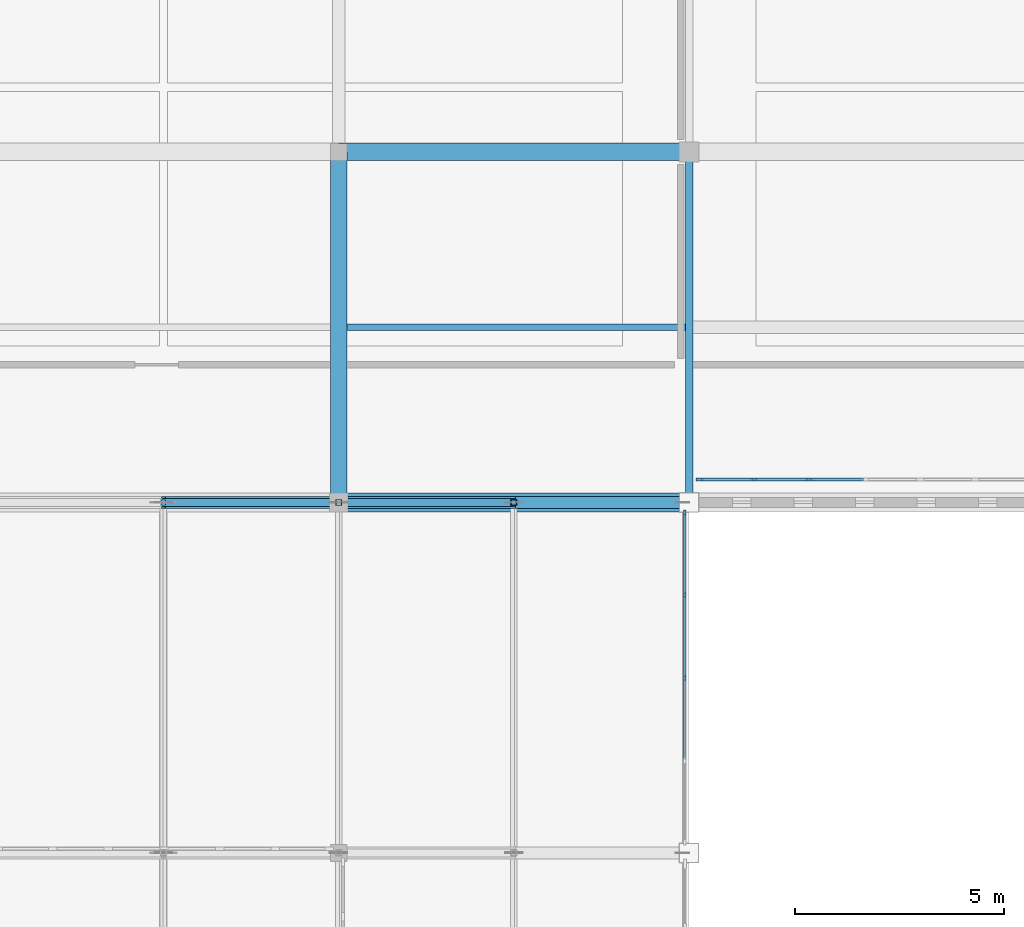
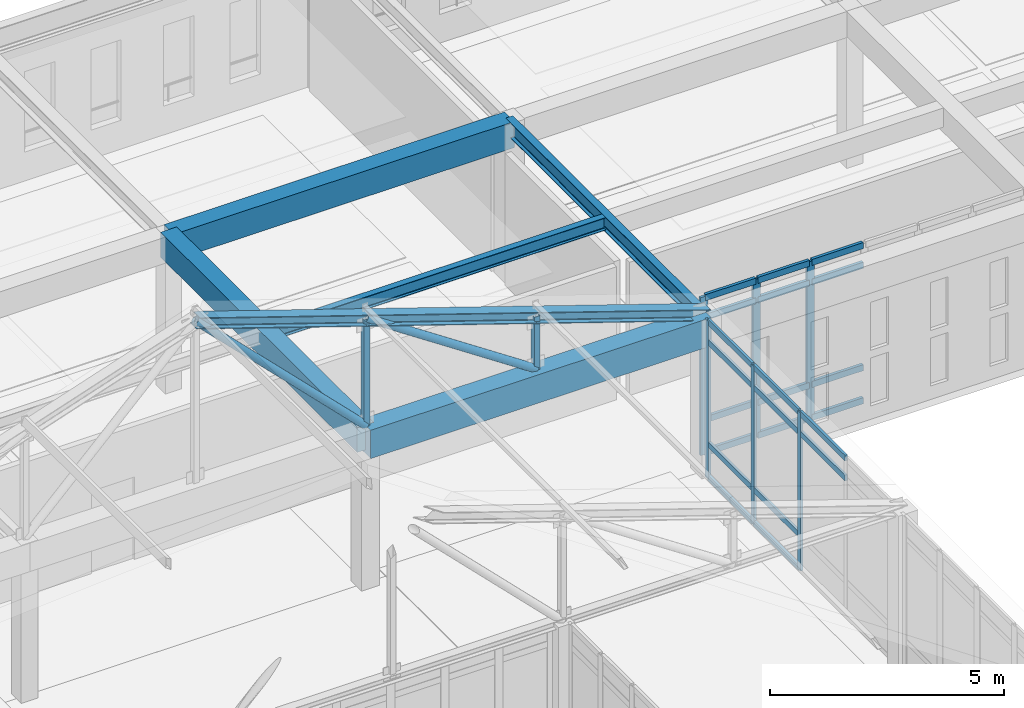
# One storey, part 90 of 192: 35 members, 5 beams, 2 elements without a shape of their own.
"""IFC4 building model written with IfcOpenShell, lengths in metres."""

from ifc_helpers import new_model, si_unit, direction, frame, origin, origin_2d, place, context, subcontext, project, spatial, rectangle, hollow_rectangle, hollow_circle, i_section, extrude, material, layer, layer_set, material_profile, profile_set, type_object, element, aggregate, save


model = new_model("IFC4")

# Units and contexts
model_context = context("Model", 3, precision=1e-05, world=origin(), true_north=direction((0.0, 1.0)))
body_context = subcontext(model_context, "Body", "Model", "MODEL_VIEW")
ifc_project = project(units=[si_unit("LENGTHUNIT", "METRE"), si_unit("AREAUNIT", "SQUARE_METRE"), si_unit("VOLUMEUNIT", "CUBIC_METRE"), si_unit("PLANEANGLEUNIT", "RADIAN"), si_unit("MASSUNIT", "GRAM", prefix="KILO")], contexts=[model_context])

# Site, building, storey
site_placement = place(None, origin())
site = spatial("IfcSite", under=ifc_project, at=site_placement, CompositionType="ELEMENT")
building_placement = place(site_placement, origin())
building = spatial("IfcBuilding", under=site, at=building_placement, Name="Kveldsbrygga Polytechnic", CompositionType="ELEMENT")
storey_placement = place(building_placement, frame((0.0, 0.0, 5.43994140625)))
storey = spatial("IfcBuildingStorey", under=building, at=storey_placement, Name="L01", CompositionType="ELEMENT", Elevation=5.43994140625)

# Beams
ifc_material_1 = material(Name="Concrete C35/45", Category="concrete")
ifc_material_profile_1 = material_profile(ifc_material_1, rectangle(XDim=0.39990234375, YDim=0.64990234375, at=origin_2d()), Name="RC 400x650")
ifc_profile_set_1 = profile_set([ifc_material_profile_1], Name="Concrete C35/45")
beam_type_1 = type_object("IfcBeamType", Name="BM-RC-400x650", PredefinedType="BEAM", material=ifc_profile_set_1)
beam_1_placement = place(storey_placement, frame((67.199951171875, 84.0, 3.795166015625), z_axis=(0.0, 1.0, 0.0), x_axis=(-1.0, 0.0, 0.0)))
element("IfcBeam", 1, at=beam_1_placement, inside=storey, type_object=beam_type_1, Name="Primary Beam BMY-L01-08-10to11", PredefinedType="BEAM", context=body_context, shape_type="SweptSolid", body=[
    extrude(rectangle(XDim=0.39990234375, YDim=0.64990234375, at=origin_2d()), origin(), (0.0, 0.0, 1.0), 8.39990234375),
])
ifc_material_profile_2 = material_profile(ifc_material_1, rectangle(XDim=0.419921875, YDim=0.679931640625, at=origin_2d()), Name="RC 420x680")
ifc_profile_set_2 = profile_set([ifc_material_profile_2], Name="Concrete C35/45")
beam_type_2 = type_object("IfcBeamType", Name="BM-RC-420x680", PredefinedType="BEAM", material=ifc_profile_set_2)
beam_2_placement = place(storey_placement, frame((67.199951171875, 92.39990234375, 3.780029296875), z_axis=(1.0, 0.0, 0.0), x_axis=(0.0, 1.0, 0.0)))
element("IfcBeam", 2, at=beam_2_placement, inside=storey, type_object=beam_type_2, Name="Primary Beam BMX-L01-08to09-11", PredefinedType="BEAM", context=body_context, shape_type="SweptSolid", body=[
    extrude(rectangle(XDim=0.419921875, YDim=0.679931640625, at=origin_2d()), origin(), (0.0, 0.0, 1.0), 8.400146484375),
])
ifc_material_profile_3 = material_profile(ifc_material_1, rectangle(XDim=0.4599609375, YDim=0.739990234375, at=origin_2d()), Name="RC 460x740")
ifc_profile_set_3 = profile_set([ifc_material_profile_3], Name="Concrete C35/45")
beam_type_3 = type_object("IfcBeamType", Name="BM-RC-460x740", PredefinedType="BEAM", material=ifc_profile_set_3)
beam_3_placement = place(storey_placement, frame((67.199951171875, 84.0, 3.75), z_axis=(1.0, 0.0, 0.0), x_axis=(0.0, 1.0, 0.0)))
element("IfcBeam", 3, at=beam_3_placement, inside=storey, type_object=beam_type_3, Name="Primary Beam BMX-L01-08to09-10", PredefinedType="BEAM", context=body_context, shape_type="SweptSolid", body=[
    extrude(rectangle(XDim=0.4599609375, YDim=0.739990234375, at=origin_2d()), origin(), (0.0, 0.0, 1.0), 8.400146484375),
])
ifc_material_2 = material(Name="Steel S355", Category="steel")
ifc_material_profile_4 = material_profile(ifc_material_2, i_section(OverallWidth=0.159912109375, OverallDepth=0.330078125, WebThickness=0.007568359375, FlangeThickness=0.011474609375, FilletRadius=0.01806640625, at=origin_2d()), Name="IPE 330")
ifc_profile_set_4 = profile_set([ifc_material_profile_4], Name="Steel S355")
beam_type_4 = type_object("IfcBeamType", Name="BM-STL-IPE330", PredefinedType="JOIST", material=ifc_profile_set_4)
beam_4_placement = place(storey_placement, frame((67.39990234375, 88.199951171875, 3.955078125), z_axis=(1.0, 0.0, 0.0), x_axis=(0.0, 1.0, 0.0)))
element("IfcBeam", 4, at=beam_4_placement, inside=storey, type_object=beam_type_4, Name="Secondary Joist JST-L01-08-10", PredefinedType="JOIST", context=body_context, shape_type="SweptSolid", body=[
    extrude(i_section(OverallWidth=0.159912109375, OverallDepth=0.330078125, WebThickness=0.007568359375, FlangeThickness=0.011474609375, FilletRadius=0.01806640625, at=origin_2d()), origin(), (0.0, 0.0, 1.0), 8.110107421875),
])
ifc_material_profile_5 = material_profile(ifc_material_2, i_section(OverallWidth=0.179931640625, OverallDepth=0.39990234375, WebThickness=0.008544921875, FlangeThickness=0.013427734375, FilletRadius=0.02099609375, at=origin_2d()), Name="IPE 400")
ifc_profile_set_5 = profile_set([ifc_material_profile_5], Name="Steel S355")
beam_type_5 = type_object("IfcBeamType", Name="BM-STL-IPE400", PredefinedType="BEAM", material=ifc_profile_set_5)
beam_5_placement = place(storey_placement, frame((75.60009765625, 84.0, 3.920166015625), z_axis=(0.0, 1.0, 0.0), x_axis=(-1.0, 0.0, 0.0)))
element("IfcBeam", 5, at=beam_5_placement, inside=storey, type_object=beam_type_5, Name="Primary Beam BMY-L01-09-10to11", PredefinedType="BEAM", context=body_context, shape_type="SweptSolid", body=[
    extrude(i_section(OverallWidth=0.179931640625, OverallDepth=0.39990234375, WebThickness=0.008544921875, FlangeThickness=0.013427734375, FilletRadius=0.02099609375, at=origin_2d()), origin(), (0.0, 0.0, 1.0), 8.39990234375),
])

# Curtain wall, members
ifc_material_3 = material(Name="Anodised aluminium AW-6060", Category="aluminium")
ifc_layer_1 = layer(ifc_material_3, 0.199951171875)
ifc_layer_set_1 = layer_set([ifc_layer_1], Name="Anodised aluminium AW-6060")
curtain_wall_type_1 = type_object("IfcCurtainWallType", Name="CW-LANC-E", PredefinedType="USERDEFINED", material=ifc_layer_set_1)
curtain_wall_1_placement = place(storey_placement, origin())
curtain_wall_1 = element("IfcCurtainWall", 6, at=curtain_wall_1_placement, inside=storey, type_object=curtain_wall_type_1, Name="Curtain Wall CW-L01-Y-09-09", ObjectType="UNITISED CURTAIN WALL", PredefinedType="USERDEFINED")
ifc_material_profile_6 = material_profile(ifc_material_3, rectangle(XDim=0.06005859375, YDim=0.139892578125, at=origin_2d()), Name="ALU 60x140")
ifc_profile_set_6 = profile_set([ifc_material_profile_6], Name="Anodised aluminium AW-6060")
member_type_1 = type_object("IfcMemberType", Name="CW-MUL-140", PredefinedType="MULLION", material=ifc_profile_set_6)
member_1_placement = place(storey_placement, frame((75.5, 79.800048828125, 0.0), z_axis=(0.0, 0.0, 1.0), x_axis=(-1.0, 0.0, 0.0)))
member_1 = element("IfcMember", 7, at=member_1_placement, type_object=member_type_1, Name="CW-05 mullion 3", PredefinedType="MULLION", context=body_context, shape_type="SweptSolid", body=[
    extrude(rectangle(XDim=0.06005859375, YDim=0.139892578125, at=origin_2d()), origin(), (0.0, 0.0, 1.0), 4.1201171875),
])
member_2_placement = place(storey_placement, frame((75.5, 81.78759765625, 0.0), z_axis=(0.0, 0.0, 1.0), x_axis=(-1.0, 0.0, 0.0)))
member_2 = element("IfcMember", 8, at=member_2_placement, type_object=member_type_1, Name="CW-05 mullion 4", PredefinedType="MULLION", context=body_context, shape_type="SweptSolid", body=[
    extrude(rectangle(XDim=0.06005859375, YDim=0.139892578125, at=origin_2d()), origin(), (0.0, 0.0, 1.0), 4.1201171875),
])
member_3_placement = place(storey_placement, frame((75.5, 83.7451171875, 0.0), z_axis=(0.0, 0.0, 1.0), x_axis=(-1.0, 0.0, 0.0)))
member_3 = element("IfcMember", 9, at=member_3_placement, type_object=member_type_1, Name="CW-05 mullion 5", PredefinedType="MULLION", context=body_context, shape_type="SweptSolid", body=[
    extrude(rectangle(XDim=0.06005859375, YDim=0.139892578125, at=origin_2d()), origin(), (0.0, 0.0, 1.0), 4.1201171875),
])

ifc_layer_2 = layer(ifc_material_3, 0.169921875)
ifc_layer_set_2 = layer_set([ifc_layer_2], Name="Anodised aluminium AW-6060")
curtain_wall_type_2 = type_object("IfcCurtainWallType", Name="CW-FOYR-F", PredefinedType="USERDEFINED", material=ifc_layer_set_2)
curtain_wall_2_placement = place(storey_placement, origin())
curtain_wall_2 = element("IfcCurtainWall", 10, at=curtain_wall_2_placement, inside=storey, type_object=curtain_wall_type_2, Name="Curtain Wall CW-L01-X-09-10", ObjectType="STICK CURTAIN WALL", PredefinedType="USERDEFINED")
ifc_material_profile_7 = material_profile(ifc_material_3, rectangle(XDim=0.06005859375, YDim=0.179931640625, at=origin_2d()), Name="ALU 60x180")
ifc_profile_set_7 = profile_set([ifc_material_profile_7], Name="Anodised aluminium AW-6060")
member_type_2 = type_object("IfcMemberType", Name="CW-MUL-180", PredefinedType="MULLION", material=ifc_profile_set_7)
member_4_placement = place(storey_placement, frame((75.85498046875, 84.550048828125, 0.0), z_axis=(0.0, 0.0, 1.0), x_axis=(0.0, 1.0, 0.0)))
member_4 = element("IfcMember", 11, at=member_4_placement, type_object=member_type_2, Name="CW-06 mullion 1", PredefinedType="MULLION", context=body_context, shape_type="SweptSolid", body=[
    extrude(rectangle(XDim=0.06005859375, YDim=0.179931640625, at=origin_2d()), origin(), (0.0, 0.0, 1.0), 4.1201171875),
])
member_5_placement = place(storey_placement, frame((77.152587890625, 84.550048828125, 0.0), z_axis=(0.0, 0.0, 1.0), x_axis=(0.0, 1.0, 0.0)))
member_5 = element("IfcMember", 12, at=member_5_placement, type_object=member_type_2, Name="CW-06 mullion 2", PredefinedType="MULLION", context=body_context, shape_type="SweptSolid", body=[
    extrude(rectangle(XDim=0.06005859375, YDim=0.179931640625, at=origin_2d()), origin(), (0.0, 0.0, 1.0), 4.1201171875),
])
member_6_placement = place(storey_placement, frame((78.47998046875, 84.550048828125, 0.0), z_axis=(0.0, 0.0, 1.0), x_axis=(0.0, 1.0, 0.0)))
member_6 = element("IfcMember", 13, at=member_6_placement, type_object=member_type_2, Name="CW-06 mullion 3", PredefinedType="MULLION", context=body_context, shape_type="SweptSolid", body=[
    extrude(rectangle(XDim=0.06005859375, YDim=0.179931640625, at=origin_2d()), origin(), (0.0, 0.0, 1.0), 4.1201171875),
])

# Member
ifc_material_profile_8 = material_profile(ifc_material_3, rectangle(XDim=0.06005859375, YDim=0.14990234375, at=origin_2d()), Name="ALU 60x150")
ifc_profile_set_8 = profile_set([ifc_material_profile_8], Name="Anodised aluminium AW-6060")
member_type_3 = type_object("IfcMemberType", Name="CW-TRN-150", PredefinedType="USERDEFINED", material=ifc_profile_set_8)
member_7_placement = place(storey_placement, frame((75.5, 77.842529296875, 3.570068359375), z_axis=(0.0, 1.0, 0.0), x_axis=(-1.0, 0.0, 0.0)))
member_7 = element("IfcMember", 14, at=member_7_placement, type_object=member_type_3, Name="CW-05 transom 2.3", ObjectType="TRANSOM", PredefinedType="USERDEFINED", context=body_context, shape_type="SweptSolid", body=[
    extrude(rectangle(XDim=0.06005859375, YDim=0.14990234375, at=origin_2d()), origin(), (0.0, 0.0, 1.0), 1.927490234375),
])

member_8_placement = place(storey_placement, frame((75.5, 77.842529296875, 4.090087890625), z_axis=(0.0, 1.0, 0.0), x_axis=(-1.0, 0.0, 0.0)))
member_8 = element("IfcMember", 15, at=member_8_placement, type_object=member_type_3, Name="CW-05 transom 2.4", ObjectType="TRANSOM", PredefinedType="USERDEFINED", context=body_context, shape_type="SweptSolid", body=[
    extrude(rectangle(XDim=0.06005859375, YDim=0.14990234375, at=origin_2d()), origin(), (0.0, 0.0, 1.0), 1.927490234375),
])

member_9_placement = place(storey_placement, frame((75.5, 79.830078125, 0.030029296875), z_axis=(0.0, 1.0, 0.0), x_axis=(-1.0, 0.0, 0.0)))
member_9 = element("IfcMember", 16, at=member_9_placement, type_object=member_type_3, Name="CW-05 transom 3.1", ObjectType="TRANSOM", PredefinedType="USERDEFINED", context=body_context, shape_type="SweptSolid", body=[
    extrude(rectangle(XDim=0.06005859375, YDim=0.14990234375, at=origin_2d()), origin(), (0.0, 0.0, 1.0), 1.927490234375),
])

member_10_placement = place(storey_placement, frame((75.5, 79.830078125, 0.900146484375), z_axis=(0.0, 1.0, 0.0), x_axis=(-1.0, 0.0, 0.0)))
member_10 = element("IfcMember", 17, at=member_10_placement, type_object=member_type_3, Name="CW-05 transom 3.2", ObjectType="TRANSOM", PredefinedType="USERDEFINED", context=body_context, shape_type="SweptSolid", body=[
    extrude(rectangle(XDim=0.06005859375, YDim=0.14990234375, at=origin_2d()), origin(), (0.0, 0.0, 1.0), 1.927490234375),
])

member_11_placement = place(storey_placement, frame((75.5, 79.830078125, 3.570068359375), z_axis=(0.0, 1.0, 0.0), x_axis=(-1.0, 0.0, 0.0)))
member_11 = element("IfcMember", 18, at=member_11_placement, type_object=member_type_3, Name="CW-05 transom 3.3", ObjectType="TRANSOM", PredefinedType="USERDEFINED", context=body_context, shape_type="SweptSolid", body=[
    extrude(rectangle(XDim=0.06005859375, YDim=0.14990234375, at=origin_2d()), origin(), (0.0, 0.0, 1.0), 1.927490234375),
])

member_12_placement = place(storey_placement, frame((75.5, 79.830078125, 4.090087890625), z_axis=(0.0, 1.0, 0.0), x_axis=(-1.0, 0.0, 0.0)))
member_12 = element("IfcMember", 19, at=member_12_placement, type_object=member_type_3, Name="CW-05 transom 3.4", ObjectType="TRANSOM", PredefinedType="USERDEFINED", context=body_context, shape_type="SweptSolid", body=[
    extrude(rectangle(XDim=0.06005859375, YDim=0.14990234375, at=origin_2d()), origin(), (0.0, 0.0, 1.0), 1.927490234375),
])

member_13_placement = place(storey_placement, frame((75.5, 81.8173828125, 0.030029296875), z_axis=(0.0, 1.0, 0.0), x_axis=(-1.0, 0.0, 0.0)))
member_13 = element("IfcMember", 20, at=member_13_placement, type_object=member_type_3, Name="CW-05 transom 4.1", ObjectType="TRANSOM", PredefinedType="USERDEFINED", context=body_context, shape_type="SweptSolid", body=[
    extrude(rectangle(XDim=0.06005859375, YDim=0.14990234375, at=origin_2d()), origin(), (0.0, 0.0, 1.0), 1.897705078125),
])

member_14_placement = place(storey_placement, frame((75.5, 81.8173828125, 0.900146484375), z_axis=(0.0, 1.0, 0.0), x_axis=(-1.0, 0.0, 0.0)))
member_14 = element("IfcMember", 21, at=member_14_placement, type_object=member_type_3, Name="CW-05 transom 4.2", ObjectType="TRANSOM", PredefinedType="USERDEFINED", context=body_context, shape_type="SweptSolid", body=[
    extrude(rectangle(XDim=0.06005859375, YDim=0.14990234375, at=origin_2d()), origin(), (0.0, 0.0, 1.0), 1.897705078125),
])

member_15_placement = place(storey_placement, frame((75.5, 81.8173828125, 3.570068359375), z_axis=(0.0, 1.0, 0.0), x_axis=(-1.0, 0.0, 0.0)))
member_15 = element("IfcMember", 22, at=member_15_placement, type_object=member_type_3, Name="CW-05 transom 4.3", ObjectType="TRANSOM", PredefinedType="USERDEFINED", context=body_context, shape_type="SweptSolid", body=[
    extrude(rectangle(XDim=0.06005859375, YDim=0.14990234375, at=origin_2d()), origin(), (0.0, 0.0, 1.0), 1.897705078125),
])

member_16_placement = place(storey_placement, frame((75.5, 81.8173828125, 4.090087890625), z_axis=(0.0, 1.0, 0.0), x_axis=(-1.0, 0.0, 0.0)))
member_16 = element("IfcMember", 23, at=member_16_placement, type_object=member_type_3, Name="CW-05 transom 4.4", ObjectType="TRANSOM", PredefinedType="USERDEFINED", context=body_context, shape_type="SweptSolid", body=[
    extrude(rectangle(XDim=0.06005859375, YDim=0.14990234375, at=origin_2d()), origin(), (0.0, 0.0, 1.0), 1.897705078125),
])

aggregate(curtain_wall_1, [member_1, member_2, member_3, member_7, member_8, member_9, member_10, member_11, member_12, member_13, member_14, member_15, member_16])

ifc_material_profile_9 = material_profile(ifc_material_3, rectangle(XDim=0.074951171875, YDim=0.159912109375, at=origin_2d()), Name="ALU 75x160")
ifc_profile_set_9 = profile_set([ifc_material_profile_9], Name="Anodised aluminium AW-6060")
member_type_4 = type_object("IfcMemberType", Name="CW-TRN-160", PredefinedType="USERDEFINED", material=ifc_profile_set_9)
member_17_placement = place(storey_placement, frame((75.885009765625, 84.550048828125, 0.03759765625), z_axis=(1.0, 0.0, 0.0), x_axis=(0.0, 1.0, 0.0)))
member_17 = element("IfcMember", 24, at=member_17_placement, type_object=member_type_4, Name="CW-06 transom 1.1", ObjectType="TRANSOM", PredefinedType="USERDEFINED", context=body_context, shape_type="SweptSolid", body=[
    extrude(rectangle(XDim=0.074951171875, YDim=0.159912109375, at=origin_2d()), origin(), (0.0, 0.0, 1.0), 1.237548828125),
])

member_18_placement = place(storey_placement, frame((75.885009765625, 84.550048828125, 0.900146484375), z_axis=(1.0, 0.0, 0.0), x_axis=(0.0, 1.0, 0.0)))
member_18 = element("IfcMember", 25, at=member_18_placement, type_object=member_type_4, Name="CW-06 transom 1.2", ObjectType="TRANSOM", PredefinedType="USERDEFINED", context=body_context, shape_type="SweptSolid", body=[
    extrude(rectangle(XDim=0.074951171875, YDim=0.159912109375, at=origin_2d()), origin(), (0.0, 0.0, 1.0), 1.237548828125),
])

member_19_placement = place(storey_placement, frame((75.885009765625, 84.550048828125, 3.570068359375), z_axis=(1.0, 0.0, 0.0), x_axis=(0.0, 1.0, 0.0)))
member_19 = element("IfcMember", 26, at=member_19_placement, type_object=member_type_4, Name="CW-06 transom 1.3", ObjectType="TRANSOM", PredefinedType="USERDEFINED", context=body_context, shape_type="SweptSolid", body=[
    extrude(rectangle(XDim=0.074951171875, YDim=0.159912109375, at=origin_2d()), origin(), (0.0, 0.0, 1.0), 1.237548828125),
])

member_20_placement = place(storey_placement, frame((75.885009765625, 84.550048828125, 4.08251953125), z_axis=(1.0, 0.0, 0.0), x_axis=(0.0, 1.0, 0.0)))
member_20 = element("IfcMember", 27, at=member_20_placement, type_object=member_type_4, Name="CW-06 transom 1.4", ObjectType="TRANSOM", PredefinedType="USERDEFINED", context=body_context, shape_type="SweptSolid", body=[
    extrude(rectangle(XDim=0.074951171875, YDim=0.159912109375, at=origin_2d()), origin(), (0.0, 0.0, 1.0), 1.237548828125),
])

member_21_placement = place(storey_placement, frame((77.1826171875, 84.550048828125, 0.03759765625), z_axis=(1.0, 0.0, 0.0), x_axis=(0.0, 1.0, 0.0)))
member_21 = element("IfcMember", 28, at=member_21_placement, type_object=member_type_4, Name="CW-06 transom 2.1", ObjectType="TRANSOM", PredefinedType="USERDEFINED", context=body_context, shape_type="SweptSolid", body=[
    extrude(rectangle(XDim=0.074951171875, YDim=0.159912109375, at=origin_2d()), origin(), (0.0, 0.0, 1.0), 1.267333984375),
])

member_22_placement = place(storey_placement, frame((77.1826171875, 84.550048828125, 0.900146484375), z_axis=(1.0, 0.0, 0.0), x_axis=(0.0, 1.0, 0.0)))
member_22 = element("IfcMember", 29, at=member_22_placement, type_object=member_type_4, Name="CW-06 transom 2.2", ObjectType="TRANSOM", PredefinedType="USERDEFINED", context=body_context, shape_type="SweptSolid", body=[
    extrude(rectangle(XDim=0.074951171875, YDim=0.159912109375, at=origin_2d()), origin(), (0.0, 0.0, 1.0), 1.267333984375),
])

member_23_placement = place(storey_placement, frame((77.1826171875, 84.550048828125, 3.570068359375), z_axis=(1.0, 0.0, 0.0), x_axis=(0.0, 1.0, 0.0)))
member_23 = element("IfcMember", 30, at=member_23_placement, type_object=member_type_4, Name="CW-06 transom 2.3", ObjectType="TRANSOM", PredefinedType="USERDEFINED", context=body_context, shape_type="SweptSolid", body=[
    extrude(rectangle(XDim=0.074951171875, YDim=0.159912109375, at=origin_2d()), origin(), (0.0, 0.0, 1.0), 1.267333984375),
])

member_24_placement = place(storey_placement, frame((77.1826171875, 84.550048828125, 4.08251953125), z_axis=(1.0, 0.0, 0.0), x_axis=(0.0, 1.0, 0.0)))
member_24 = element("IfcMember", 31, at=member_24_placement, type_object=member_type_4, Name="CW-06 transom 2.4", ObjectType="TRANSOM", PredefinedType="USERDEFINED", context=body_context, shape_type="SweptSolid", body=[
    extrude(rectangle(XDim=0.074951171875, YDim=0.159912109375, at=origin_2d()), origin(), (0.0, 0.0, 1.0), 1.267333984375),
])

member_25_placement = place(storey_placement, frame((78.510009765625, 84.550048828125, 0.03759765625), z_axis=(1.0, 0.0, 0.0), x_axis=(0.0, 1.0, 0.0)))
member_25 = element("IfcMember", 32, at=member_25_placement, type_object=member_type_4, Name="CW-06 transom 3.1", ObjectType="TRANSOM", PredefinedType="USERDEFINED", context=body_context, shape_type="SweptSolid", body=[
    extrude(rectangle(XDim=0.074951171875, YDim=0.159912109375, at=origin_2d()), origin(), (0.0, 0.0, 1.0), 1.267578125),
])

member_26_placement = place(storey_placement, frame((78.510009765625, 84.550048828125, 0.900146484375), z_axis=(1.0, 0.0, 0.0), x_axis=(0.0, 1.0, 0.0)))
member_26 = element("IfcMember", 33, at=member_26_placement, type_object=member_type_4, Name="CW-06 transom 3.2", ObjectType="TRANSOM", PredefinedType="USERDEFINED", context=body_context, shape_type="SweptSolid", body=[
    extrude(rectangle(XDim=0.074951171875, YDim=0.159912109375, at=origin_2d()), origin(), (0.0, 0.0, 1.0), 1.267578125),
])

member_27_placement = place(storey_placement, frame((78.510009765625, 84.550048828125, 3.570068359375), z_axis=(1.0, 0.0, 0.0), x_axis=(0.0, 1.0, 0.0)))
member_27 = element("IfcMember", 34, at=member_27_placement, type_object=member_type_4, Name="CW-06 transom 3.3", ObjectType="TRANSOM", PredefinedType="USERDEFINED", context=body_context, shape_type="SweptSolid", body=[
    extrude(rectangle(XDim=0.074951171875, YDim=0.159912109375, at=origin_2d()), origin(), (0.0, 0.0, 1.0), 1.267578125),
])

member_28_placement = place(storey_placement, frame((78.510009765625, 84.550048828125, 4.08251953125), z_axis=(1.0, 0.0, 0.0), x_axis=(0.0, 1.0, 0.0)))
member_28 = element("IfcMember", 35, at=member_28_placement, type_object=member_type_4, Name="CW-06 transom 3.4", ObjectType="TRANSOM", PredefinedType="USERDEFINED", context=body_context, shape_type="SweptSolid", body=[
    extrude(rectangle(XDim=0.074951171875, YDim=0.159912109375, at=origin_2d()), origin(), (0.0, 0.0, 1.0), 1.267578125),
])

aggregate(curtain_wall_2, [member_4, member_5, member_6, member_17, member_18, member_19, member_20, member_21, member_22, member_23, member_24, member_25, member_26, member_27, member_28])

# Members
ifc_material_profile_10 = material_profile(ifc_material_2, hollow_circle(Radius=0.096923828125, WallThickness=0.010009765625, at=origin_2d()), Name="CHS 193.7x10.0")
ifc_profile_set_10 = profile_set([ifc_material_profile_10], Name="Steel S355")
member_type_5 = type_object("IfcMemberType", Name="TR-DIAG-CHS194", PredefinedType="BRACE", material=ifc_profile_set_10)
member_29_placement = place(storey_placement, frame((63.0, 84.0, 8.320068359375), z_axis=(0.707106781187, 0.0, -0.707106781187), x_axis=(0.0, 1.0, 0.0)))
element("IfcMember", 36, at=member_29_placement, inside=storey, type_object=member_type_5, Name="Truss Diagonal V5C-T10-DG-4", PredefinedType="BRACE", context=body_context, shape_type="SweptSolid", body=[
    extrude(hollow_circle(Radius=0.096923828125, WallThickness=0.010009765625, at=origin_2d()), origin(), (0.0, 0.0, 1.0), 5.939697265625),
])
member_30_placement = place(storey_placement, frame((67.199951171875, 84.0, 6.920166015625), z_axis=(0.832042853317, 0.0, -0.554711357594), x_axis=(0.0, 1.0, 0.0)))
element("IfcMember", 37, at=member_30_placement, inside=storey, type_object=member_type_5, Name="Truss Diagonal V5C-T10-DG-5", PredefinedType="BRACE", context=body_context, shape_type="SweptSolid", body=[
    extrude(hollow_circle(Radius=0.096923828125, WallThickness=0.010009765625, at=origin_2d()), origin(), (0.0, 0.0, 1.0), 5.0478515625),
])
ifc_material_profile_11 = material_profile(ifc_material_2, hollow_rectangle(XDim=0.139892578125, YDim=0.139892578125, WallThickness=0.008056640625, at=origin_2d()), Name="SHS 140x140x8.0")
ifc_profile_set_11 = profile_set([ifc_material_profile_11], Name="Steel S355")
member_type_6 = type_object("IfcMemberType", Name="TR-POST-SHS140", PredefinedType="STRUT", material=ifc_profile_set_11)
member_31_placement = place(storey_placement, frame((67.199951171875, 84.0, 4.1201171875), z_axis=(0.0, 0.0, 1.0), x_axis=(1.0, 0.0, 0.0)))
element("IfcMember", 38, at=member_31_placement, inside=storey, type_object=member_type_6, Name="Truss Vertical V5C-T10-VT-4", PredefinedType="STRUT", context=body_context, shape_type="SweptSolid", body=[
    extrude(hollow_rectangle(XDim=0.139892578125, YDim=0.139892578125, WallThickness=0.008056640625, at=origin_2d()), origin(), (0.0, 0.0, 1.0), 2.800048828125),
])
member_32_placement = place(storey_placement, frame((71.39990234375, 84.0, 4.1201171875), z_axis=(0.0, 0.0, 1.0), x_axis=(1.0, 0.0, 0.0)))
element("IfcMember", 39, at=member_32_placement, inside=storey, type_object=member_type_6, Name="Truss Vertical V5C-T10-VT-5", PredefinedType="STRUT", context=body_context, shape_type="SweptSolid", body=[
    extrude(hollow_rectangle(XDim=0.139892578125, YDim=0.139892578125, WallThickness=0.008056640625, at=origin_2d()), origin(), (0.0, 0.0, 1.0), 1.39990234375),
])
ifc_material_profile_12 = material_profile(ifc_material_2, i_section(OverallWidth=0.280029296875, OverallDepth=0.280029296875, WebThickness=0.010498046875, FlangeThickness=0.01806640625, FilletRadius=0.02392578125, at=origin_2d()), Name="HEB 280")
ifc_profile_set_12 = profile_set([ifc_material_profile_12], Name="Steel S355")
member_type_7 = type_object("IfcMemberType", Name="TR-TOP-HEB280", PredefinedType="CHORD", material=ifc_profile_set_12)
member_33_placement = place(storey_placement, frame((63.0, 84.0, 8.320068359375), z_axis=(0.948688812577, 0.0, -0.316211221956), x_axis=(0.0, 1.0, 0.0)))
element("IfcMember", 40, at=member_33_placement, inside=storey, type_object=member_type_7, Name="Truss Top Chord V5C-T10-TC-4", PredefinedType="CHORD", context=body_context, shape_type="SweptSolid", body=[
    extrude(i_section(OverallWidth=0.280029296875, OverallDepth=0.280029296875, WebThickness=0.010498046875, FlangeThickness=0.01806640625, FilletRadius=0.02392578125, at=origin_2d()), origin(), (0.0, 0.0, 1.0), 4.427001953125),
])
for number, where, z_axis, x_axis, name in (
    (41, (67.199951171875, 84.0, 6.920166015625), (0.948672268324, 0.0, -0.316260853272), (0.0, 1.0, 0.0), "Truss Top Chord V5C-T10-TC-5"),
    (42, (71.39990234375, 84.0, 5.52001953125), (0.948694326238, 0.0, -0.316194679531), (0.0, 1.0, 0.0), "Truss Top Chord V5C-T10-TC-6"),
):
    element("IfcMember", number, at=place(storey_placement, frame(where, z_axis=z_axis, x_axis=x_axis)), inside=storey, type_object=member_type_7, Name=name, PredefinedType="CHORD", context=body_context, shape_type="SweptSolid", body=[
        extrude(i_section(OverallWidth=0.280029296875, OverallDepth=0.280029296875, WebThickness=0.010498046875, FlangeThickness=0.01806640625, FilletRadius=0.02392578125, at=origin_2d()), origin(), (0.0, 0.0, 1.0), 4.42724609375),
    ])

save(model, "model.ifc")
